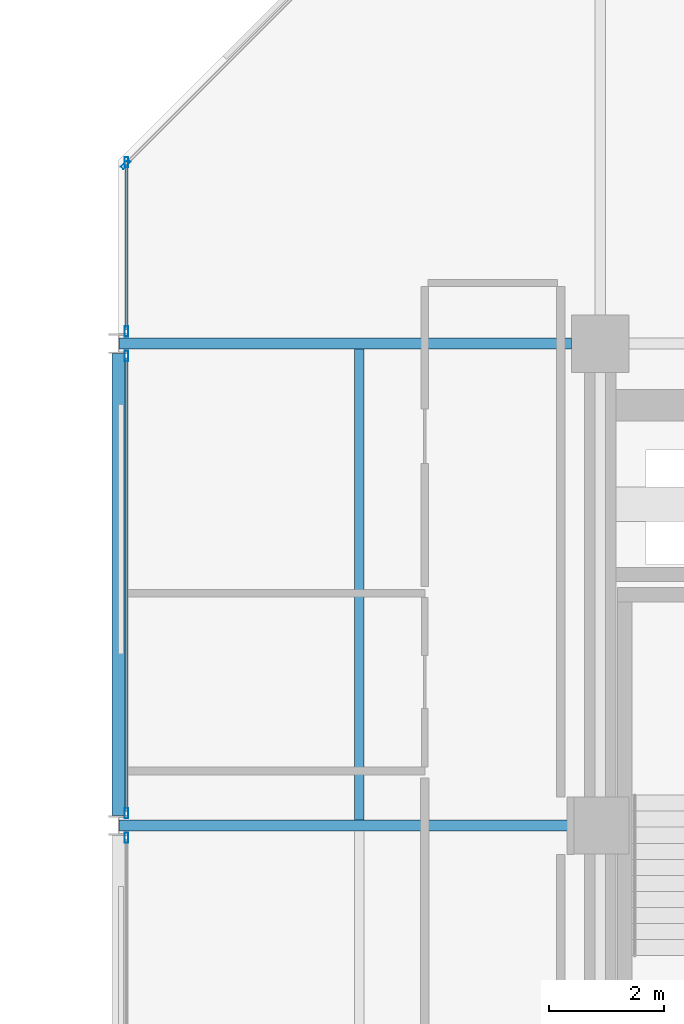
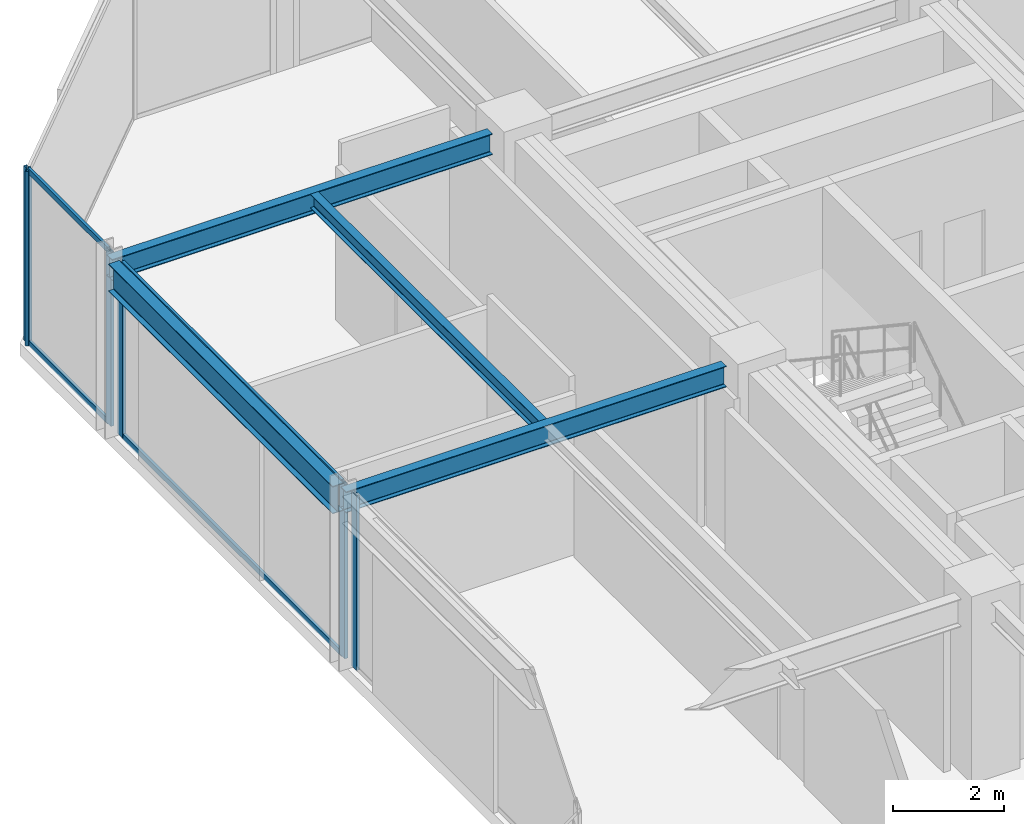
# One storey, part 17 of 29: 10 members, 4 beams, 4 elements without a shape of their own.
"""IFC4 building model written with IfcOpenShell, lengths in metres."""

from ifc_helpers import new_model, si_unit, direction, frame, origin, origin_2d, place, context, subcontext, project, spatial, hollow_rectangle, i_section, extrude, material, layer, layer_set, material_profile, profile_set, type_object, element, aggregate, save


model = new_model("IFC4")

# Units and contexts
model_context = context("Model", 3, precision=1e-05, world=origin(), true_north=direction((0.0, 1.0)))
body_context = subcontext(model_context, "Body", "Model", "MODEL_VIEW")
ifc_project = project(units=[si_unit("LENGTHUNIT", "METRE"), si_unit("AREAUNIT", "SQUARE_METRE"), si_unit("VOLUMEUNIT", "CUBIC_METRE"), si_unit("PLANEANGLEUNIT", "RADIAN"), si_unit("MASSUNIT", "GRAM", prefix="KILO")], contexts=[model_context])

# Site, building, storey
site_placement = place(None, origin())
site = spatial("IfcSite", under=ifc_project, at=site_placement, CompositionType="ELEMENT")
building_placement = place(site_placement, origin())
building = spatial("IfcBuilding", under=site, at=building_placement, Name="Nerrivon Quay Data Exchange", CompositionType="ELEMENT")
storey_placement = place(building_placement, frame((0.0, 0.0, 175.5)))
storey = spatial("IfcBuildingStorey", under=building, at=storey_placement, Name="L41", CompositionType="ELEMENT", Elevation=175.5)

# Beams
ifc_material_1 = material(Name="Steel Grade 350", Category="steel")
ifc_material_profile_1 = material_profile(ifc_material_1, i_section(OverallWidth=0.22802734375, OverallDepth=0.60205078125, WebThickness=0.010498046875, FlangeThickness=0.014892578125, FilletRadius=0.013916015625, at=origin_2d()), Name="610UB101")
ifc_profile_set_1 = profile_set([ifc_material_profile_1], Name="Steel Grade 350")
beam_type_1 = type_object("IfcBeamType", Name="BM-G2-610UB101", PredefinedType="BEAM", material=ifc_profile_set_1)
beam_1_placement = place(storey_placement, frame((0.0, 33.77490234375, 3.52392578125), z_axis=(0.0, 1.0, 0.0), x_axis=(-1.0, 0.0, 0.0)))
element("IfcBeam", 1, at=beam_1_placement, inside=storey, type_object=beam_type_1, Name="L41 NS Girder X=0.0 (33.6..42.0)", PredefinedType="BEAM", context=body_context, shape_type="SweptSolid", body=[
    extrude(i_section(OverallWidth=0.22802734375, OverallDepth=0.60205078125, WebThickness=0.010498046875, FlangeThickness=0.014892578125, FilletRadius=0.013916015625, at=origin_2d()), origin(), (0.0, 0.0, 1.0), 8.050048828125),
])
ifc_material_profile_2 = material_profile(ifc_material_1, i_section(OverallWidth=0.19091796875, OverallDepth=0.4599609375, WebThickness=0.010009765625, FlangeThickness=0.01611328125, FilletRadius=0.011474609375, at=origin_2d()), Name="460UB82.1")
ifc_profile_set_2 = profile_set([ifc_material_profile_2], Name="Steel Grade 350")
beam_type_2 = type_object("IfcBeamType", Name="BM-G5-460UB82", PredefinedType="BEAM", material=ifc_profile_set_2)
for number, where, z_axis, x_axis, name in (
    (2, (0.010009765625, 33.60009765625, 3.594970703125), (1.0, 0.0, 0.0), (0.0, 1.0, 0.0), "L41 EW Girder Y=33.6 (0.0..8.4)"),
    (3, (0.010009765625, 42.0, 3.594970703125), (1.0, 0.0, 0.0), (0.0, 1.0, 0.0), "L41 EW Girder Y=42.0 (0.0..8.4)"),
):
    element("IfcBeam", number, at=place(storey_placement, frame(where, z_axis=z_axis, x_axis=x_axis)), inside=storey, type_object=beam_type_2, Name=name, PredefinedType="BEAM", context=body_context, shape_type="SweptSolid", body=[
        extrude(i_section(OverallWidth=0.19091796875, OverallDepth=0.4599609375, WebThickness=0.010009765625, FlangeThickness=0.01611328125, FilletRadius=0.011474609375, at=origin_2d()), origin(), (0.0, 0.0, 1.0), 7.889892578125),
    ])
ifc_material_profile_3 = material_profile(ifc_material_1, i_section(OverallWidth=0.166015625, OverallDepth=0.306884765625, WebThickness=0.006591796875, FlangeThickness=0.01171875, FilletRadius=0.011474609375, at=origin_2d()), Name="310UB46.2")
ifc_profile_set_3 = profile_set([ifc_material_profile_3], Name="Steel Grade 350")
beam_type_3 = type_object("IfcBeamType", Name="BM-J5-310UB46", PredefinedType="JOIST", material=ifc_profile_set_3)
beam_2_placement = place(storey_placement, frame((4.199951171875, 33.695556640625, 3.67138671875), z_axis=(0.0, 1.0, 0.0), x_axis=(-1.0, 0.0, 0.0)))
element("IfcBeam", 4, at=beam_2_placement, inside=storey, type_object=beam_type_3, Name="L41 Secondary Joist X=4.2 (33.6..42.0)", PredefinedType="JOIST", context=body_context, shape_type="SweptSolid", body=[
    extrude(i_section(OverallWidth=0.166015625, OverallDepth=0.306884765625, WebThickness=0.006591796875, FlangeThickness=0.01171875, FilletRadius=0.011474609375, at=origin_2d()), origin(), (0.0, 0.0, 1.0), 8.208984375),
])

# Curtain wall, member
ifc_material_2 = material(Name="Anodised aluminium 6063-T6", Category="aluminium")
ifc_layer = layer(ifc_material_2, 0.195068359375)
ifc_layer_set = layer_set([ifc_layer], Name="Anodised aluminium 6063-T6")
curtain_wall_type = type_object("IfcCurtainWallType", Name="CW-SYS-06", PredefinedType="NOTDEFINED", material=ifc_layer_set)
curtain_wall_1_placement = place(storey_placement, origin())
curtain_wall_1 = element("IfcCurtainWall", 5, at=curtain_wall_1_placement, inside=storey, type_object=curtain_wall_type, Name="L41 Unitised Curtain Wall 4", PredefinedType="NOTDEFINED")
ifc_material_profile_4 = material_profile(ifc_material_2, hollow_rectangle(XDim=0.06494140625, YDim=0.179931640625, WallThickness=0.00341796875, at=origin_2d()), Name="ALU-MULL-180x65")
ifc_profile_set_4 = profile_set([ifc_material_profile_4], Name="Anodised aluminium 6063-T6")
member_type_1 = type_object("IfcMemberType", Name="CWM-180x65", PredefinedType="MULLION", material=ifc_profile_set_4)
member_1_placement = place(storey_placement, frame((0.139892578125, 33.387451171875, 0.0), z_axis=(0.0, 0.0, 1.0), x_axis=(-1.0, 0.0, 0.0)))
member_1 = element("IfcMember", 6, at=member_1_placement, type_object=member_type_1, Name="CW06 mullion 2", PredefinedType="MULLION", context=body_context, shape_type="SweptSolid", body=[
    extrude(hollow_rectangle(XDim=0.06494140625, YDim=0.179931640625, WallThickness=0.00341796875, at=origin_2d()), origin(), (0.0, 0.0, 1.0), 3.824951171875),
])
aggregate(curtain_wall_1, [member_1])

# Curtain wall, members
curtain_wall_2_placement = place(storey_placement, origin())
curtain_wall_2 = element("IfcCurtainWall", 7, at=curtain_wall_2_placement, inside=storey, type_object=curtain_wall_type, Name="L41 Unitised Curtain Wall 5", PredefinedType="NOTDEFINED")
member_2_placement = place(storey_placement, frame((0.139892578125, 33.8125, 0.0), z_axis=(0.0, 0.0, 1.0), x_axis=(-1.0, 0.0, 0.0)))
member_2 = element("IfcMember", 8, at=member_2_placement, type_object=member_type_1, Name="CW06 mullion 1", PredefinedType="MULLION", context=body_context, shape_type="SweptSolid", body=[
    extrude(hollow_rectangle(XDim=0.06494140625, YDim=0.179931640625, WallThickness=0.00341796875, at=origin_2d()), origin(), (0.0, 0.0, 1.0), 3.824951171875),
])
member_3_placement = place(storey_placement, frame((0.139892578125, 41.78759765625, 0.0), z_axis=(0.0, 0.0, 1.0), x_axis=(-1.0, 0.0, 0.0)))
member_3 = element("IfcMember", 9, at=member_3_placement, type_object=member_type_1, Name="CW06 mullion 2", PredefinedType="MULLION", context=body_context, shape_type="SweptSolid", body=[
    extrude(hollow_rectangle(XDim=0.06494140625, YDim=0.179931640625, WallThickness=0.00341796875, at=origin_2d()), origin(), (0.0, 0.0, 1.0), 3.824951171875),
])

curtain_wall_3_placement = place(storey_placement, origin())
curtain_wall_3 = element("IfcCurtainWall", 10, at=curtain_wall_3_placement, inside=storey, type_object=curtain_wall_type, Name="L41 Unitised Curtain Wall 6", PredefinedType="NOTDEFINED")
member_4_placement = place(storey_placement, frame((0.139892578125, 42.21240234375, 0.0), z_axis=(0.0, 0.0, 1.0), x_axis=(-1.0, 0.0, 0.0)))
member_4 = element("IfcMember", 11, at=member_4_placement, type_object=member_type_1, Name="CW06 mullion 1", PredefinedType="MULLION", context=body_context, shape_type="SweptSolid", body=[
    extrude(hollow_rectangle(XDim=0.06494140625, YDim=0.179931640625, WallThickness=0.00341796875, at=origin_2d()), origin(), (0.0, 0.0, 1.0), 3.824951171875),
])
member_5_placement = place(storey_placement, frame((0.139892578125, 45.16259765625, 0.0), z_axis=(0.0, 0.0, 1.0), x_axis=(-1.0, 0.0, 0.0)))
member_5 = element("IfcMember", 12, at=member_5_placement, type_object=member_type_1, Name="CW06 mullion 2", PredefinedType="MULLION", context=body_context, shape_type="SweptSolid", body=[
    extrude(hollow_rectangle(XDim=0.06494140625, YDim=0.179931640625, WallThickness=0.00341796875, at=origin_2d()), origin(), (0.0, 0.0, 1.0), 3.824951171875),
])

# Curtain wall, member
curtain_wall_4_placement = place(storey_placement, origin())
curtain_wall_4 = element("IfcCurtainWall", 13, at=curtain_wall_4_placement, inside=storey, type_object=curtain_wall_type, Name="L41 Unitised Curtain Wall 7", PredefinedType="NOTDEFINED")
member_6_placement = place(storey_placement, frame((0.12548828125, 45.12744140625, 0.0), z_axis=(0.0, 0.0, 1.0), x_axis=(-0.707106781187, 0.707106781187, 0.0)))
member_6 = element("IfcMember", 14, at=member_6_placement, type_object=member_type_1, Name="CW06 mullion 1", PredefinedType="MULLION", context=body_context, shape_type="SweptSolid", body=[
    extrude(hollow_rectangle(XDim=0.06494140625, YDim=0.179931640625, WallThickness=0.00341796875, at=origin_2d()), origin(), (0.0, 0.0, 1.0), 3.824951171875),
])
aggregate(curtain_wall_4, [member_6])

# Member
ifc_material_profile_5 = material_profile(ifc_material_2, hollow_rectangle(XDim=0.06005859375, YDim=0.1201171875, WallThickness=0.003173828125, at=origin_2d()), Name="ALU-TRAN-120x60")
ifc_profile_set_5 = profile_set([ifc_material_profile_5], Name="Anodised aluminium 6063-T6")
member_type_2 = type_object("IfcMemberType", Name="CWT-120x60", PredefinedType="USERDEFINED", material=ifc_profile_set_5)
member_7_placement = place(storey_placement, frame((0.139892578125, 33.85009765625, 0.032470703125), z_axis=(0.0, 1.0, 0.0), x_axis=(-1.0, 0.0, 0.0)))
member_7 = element("IfcMember", 15, at=member_7_placement, type_object=member_type_2, Name="CW06 transom 1.1", ObjectType="TRANSOM", PredefinedType="USERDEFINED", context=body_context, shape_type="SweptSolid", body=[
    extrude(hollow_rectangle(XDim=0.06005859375, YDim=0.1201171875, WallThickness=0.003173828125, at=origin_2d()), origin(), (0.0, 0.0, 1.0), 7.89990234375),
])

member_8_placement = place(storey_placement, frame((0.139892578125, 33.85009765625, 3.79248046875), z_axis=(0.0, 1.0, 0.0), x_axis=(-1.0, 0.0, 0.0)))
member_8 = element("IfcMember", 16, at=member_8_placement, type_object=member_type_2, Name="CW06 transom 1.2", ObjectType="TRANSOM", PredefinedType="USERDEFINED", context=body_context, shape_type="SweptSolid", body=[
    extrude(hollow_rectangle(XDim=0.06005859375, YDim=0.1201171875, WallThickness=0.003173828125, at=origin_2d()), origin(), (0.0, 0.0, 1.0), 7.89990234375),
])

aggregate(curtain_wall_2, [member_2, member_3, member_7, member_8])

member_9_placement = place(storey_placement, frame((0.139892578125, 42.25, 0.032470703125), z_axis=(0.0, 1.0, 0.0), x_axis=(-1.0, 0.0, 0.0)))
member_9 = element("IfcMember", 17, at=member_9_placement, type_object=member_type_2, Name="CW06 transom 1.1", ObjectType="TRANSOM", PredefinedType="USERDEFINED", context=body_context, shape_type="SweptSolid", body=[
    extrude(hollow_rectangle(XDim=0.06005859375, YDim=0.1201171875, WallThickness=0.003173828125, at=origin_2d()), origin(), (0.0, 0.0, 1.0), 2.875),
])

member_10_placement = place(storey_placement, frame((0.139892578125, 42.25, 3.79248046875), z_axis=(0.0, 1.0, 0.0), x_axis=(-1.0, 0.0, 0.0)))
member_10 = element("IfcMember", 18, at=member_10_placement, type_object=member_type_2, Name="CW06 transom 1.2", ObjectType="TRANSOM", PredefinedType="USERDEFINED", context=body_context, shape_type="SweptSolid", body=[
    extrude(hollow_rectangle(XDim=0.06005859375, YDim=0.1201171875, WallThickness=0.003173828125, at=origin_2d()), origin(), (0.0, 0.0, 1.0), 2.875),
])

aggregate(curtain_wall_3, [member_4, member_5, member_9, member_10])

save(model, "model.ifc")
